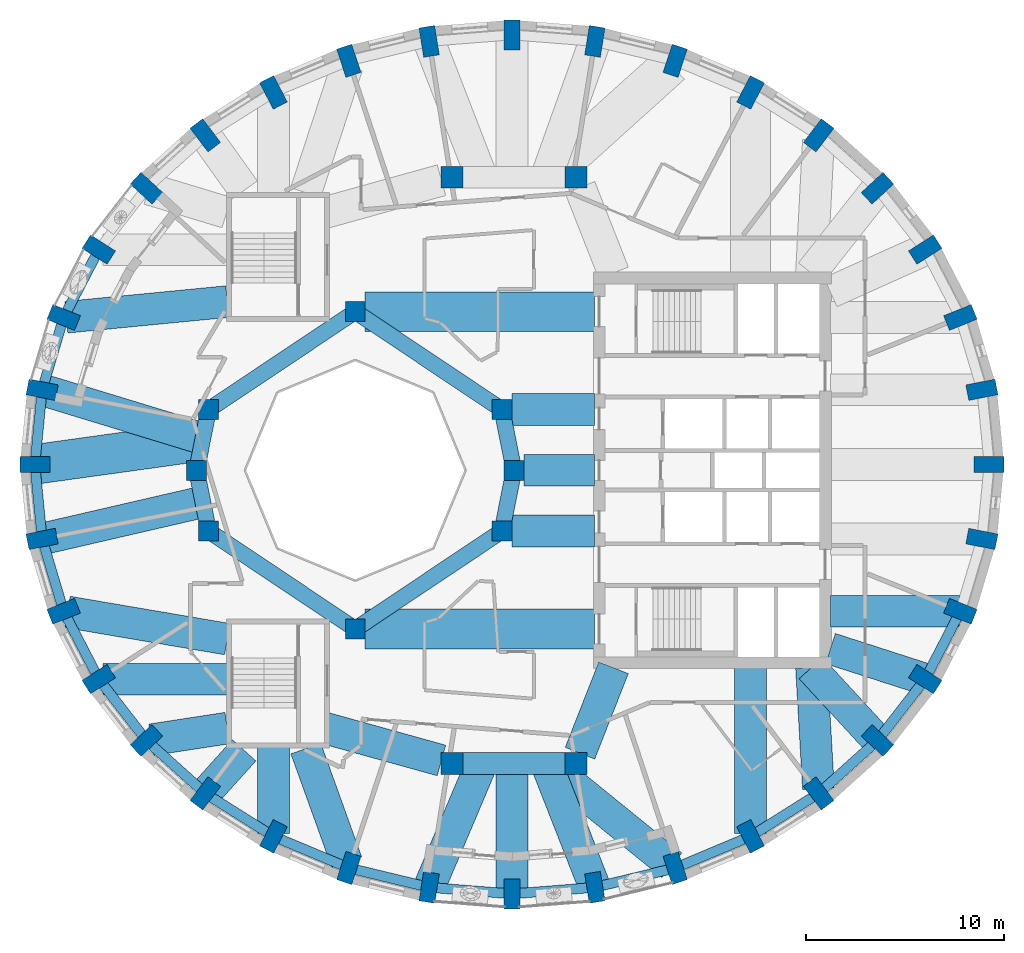
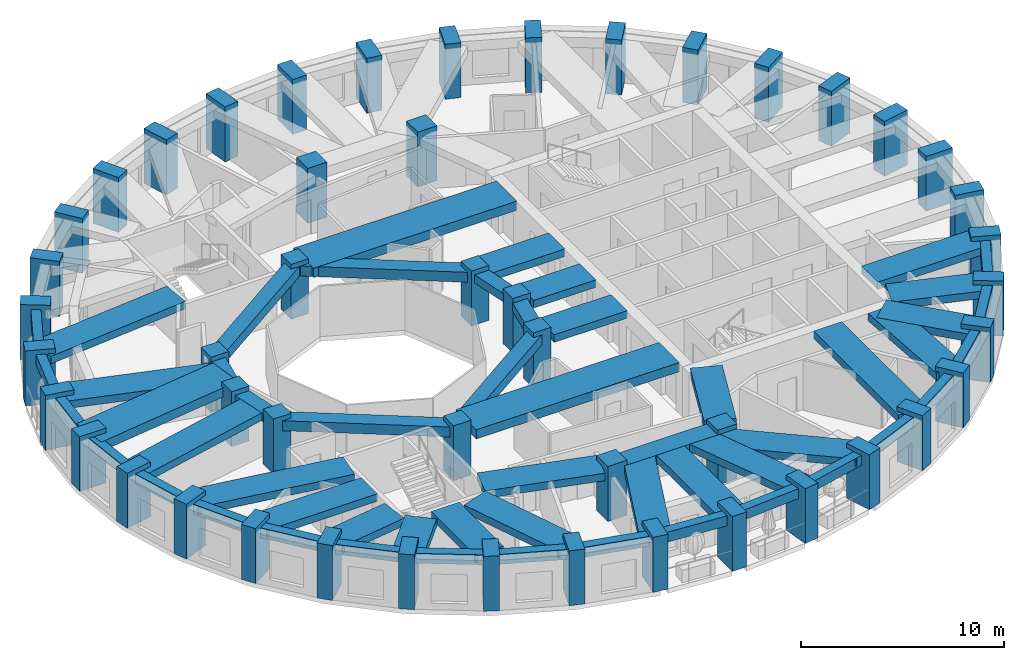
# One storey, part 1 of 12: 54 beams, 48 columns.
"""IFC4 building model written with IfcOpenShell, lengths in metres."""

from ifc_helpers import new_model, si_unit, direction, frame, origin, origin_2d, place, context, subcontext, project, spatial, rectangle, extrude, material, material_profile, profile_set, type_object, element, save


model = new_model("IFC4")

# Units and contexts
model_context = context("Model", 3, precision=1e-05, world=origin(), true_north=direction((0.0, 1.0)))
body_context = subcontext(model_context, "Body", "Model", "MODEL_VIEW")
ifc_project = project(units=[si_unit("LENGTHUNIT", "METRE"), si_unit("AREAUNIT", "SQUARE_METRE"), si_unit("VOLUMEUNIT", "CUBIC_METRE"), si_unit("PLANEANGLEUNIT", "RADIAN"), si_unit("MASSUNIT", "GRAM", prefix="KILO")], contexts=[model_context])

# Site, building, storey
site_placement = place(None, origin())
site = spatial("IfcSite", under=ifc_project, at=site_placement, CompositionType="ELEMENT")
building_placement = place(site_placement, origin())
building = spatial("IfcBuilding", under=site, at=building_placement, Name="Taillehof Tower", CompositionType="ELEMENT")
storey_placement = place(building_placement, frame((0.0, 0.0, 246.5)))
storey = spatial("IfcBuildingStorey", under=building, at=storey_placement, Name="L70", CompositionType="ELEMENT", Elevation=246.5)

# Columns
ifc_material_1 = material(Name="Concrete C50/60", Category="concrete")
ifc_material_profile_1 = material_profile(ifc_material_1, rectangle(XDim=1.0, YDim=1.0, at=origin_2d()), Name="RC 1000x1000")
ifc_profile_set_1 = profile_set([ifc_material_profile_1], Name="Concrete C50/60")
column_type_1 = type_object("IfcColumnType", Name="Atrium ring column C50/60 1000x1000", PredefinedType="COLUMN", material=ifc_profile_set_1)
for number, where, z_axis, x_axis, name in (
    (1, (0.0, 0.0, 0.0), (0.0, 0.0, 1.0), (1.0, 0.0, 0.0), "Column AC01"),
    (2, (-0.60888671875, 3.0615234375, 0.0), (0.0, 0.0, 1.0), (1.0, 0.0, 0.0), "Column AC02"),
    (3, (-8.0, 8.0, 0.0), (0.0, 0.0, 1.0), (1.0, 0.0, 0.0), "Column AC05"),
    (4, (-15.39111328125, 3.0615234375, 0.0), (0.0, 0.0, 1.0), (1.0, 0.0, 0.0), "Column AC08"),
    (5, (-16.0, 0.0, 0.0), (0.0, 0.0, 1.0), (1.0, 0.0, 0.0), "Column AC09"),
    (6, (-15.39111328125, -3.0615234375, 0.0), (0.0, 0.0, 1.0), (1.0, 0.0, 0.0), "Column AC10"),
    (7, (-8.0, -8.0, 0.0), (0.0, 0.0, 1.0), (1.0, 0.0, 0.0), "Column AC13"),
    (8, (-0.60888671875, -3.0615234375, 0.0), (0.0, 0.0, 1.0), (1.0, 0.0, 0.0), "Column AC16"),
):
    element("IfcColumn", number, at=place(storey_placement, frame(where, z_axis=z_axis, x_axis=x_axis)), inside=storey, type_object=column_type_1, Name=name, PredefinedType="COLUMN", context=body_context, shape_type="SweptSolid", body=[
        extrude(rectangle(XDim=1.0, YDim=1.0, at=origin_2d()), origin(), (0.0, 0.0, 1.0), 3.300048828125),
    ])
ifc_material_2 = material(Name="Concrete C50/60", Category="concrete")
ifc_material_profile_2 = material_profile(ifc_material_2, rectangle(XDim=1.10009765625, YDim=1.10009765625, at=origin_2d()), Name="RC 1100x1100")
ifc_profile_set_2 = profile_set([ifc_material_profile_2], Name="Concrete C50/60")
column_type_2 = type_object("IfcColumnType", Name="Mid-ring column C50/60 1100x1100", PredefinedType="COLUMN", material=ifc_profile_set_2)
for number, where, z_axis, x_axis, name in (
    (9, (3.125732421875, 14.772216796875, 0.0), (0.0, 0.0, 1.0), (1.0, 0.0, 0.0), "Column MC05"),
    (10, (-3.125732421875, 14.772216796875, 0.0), (0.0, 0.0, 1.0), (1.0, 0.0, 0.0), "Column MC06"),
    (11, (-3.125732421875, -14.772216796875, 0.0), (0.0, 0.0, 1.0), (1.0, 0.0, 0.0), "Column MC14"),
    (12, (3.125732421875, -14.772216796875, 0.0), (0.0, 0.0, 1.0), (1.0, 0.0, 0.0), "Column MC15"),
):
    element("IfcColumn", number, at=place(storey_placement, frame(where, z_axis=z_axis, x_axis=x_axis)), inside=storey, type_object=column_type_2, Name=name, PredefinedType="COLUMN", context=body_context, shape_type="SweptSolid", body=[
        extrude(rectangle(XDim=1.10009765625, YDim=1.10009765625, at=origin_2d()), origin(), (0.0, 0.0, 1.0), 3.300048828125),
    ])
ifc_material_3 = material(Name="Concrete C50/60", Category="concrete")
ifc_material_profile_3 = material_profile(ifc_material_3, rectangle(XDim=1.5, YDim=0.800048828125, at=origin_2d()), Name="RC 1500x800")
ifc_profile_set_3 = profile_set([ifc_material_profile_3], Name="Concrete C50/60")
column_type_3 = type_object("IfcColumnType", Name="Ring column C50/60 1500x800", PredefinedType="COLUMN", material=ifc_profile_set_3)
for number, where, z_axis, x_axis, name in (
    (13, (23.949951171875, 0.300048828125, 0.0), (0.0, 0.0, 1.0), (1.0, 0.0, 0.0), "Ring column RC01"),
    (14, (23.584716796875, 4.0595703125, 0.0), (0.0, 0.0, 1.0), (0.981472639166, 0.191602344891, 0.0), "Ring column RC02"),
    (15, (22.49951171875, 7.704833984375, 0.0), (0.0, 0.0, 1.0), (0.927524694272, 0.373761878092, 0.0), "Ring column RC03"),
    (16, (20.72802734375, 11.125, 0.0), (0.0, 0.0, 1.0), (0.842573772535, 0.538580948267, 0.0), "Ring column RC04"),
    (17, (18.323486328125, 14.21630859375, 0.0), (0.0, 0.0, 1.0), (0.73263579998, 0.680620881686, 0.0), "Ring column RC05"),
    (18, (15.359130859375, 16.884765625, 0.0), (0.0, 0.0, 1.0), (0.604020073066, 0.796969103123, 0.0), "Ring column RC06"),
    (19, (11.925048828125, 19.049560546875, 0.0), (0.0, 0.0, 1.0), (0.462383690865, 0.886679943622, 0.0), "Ring column RC07"),
    (20, (8.12548828125, 20.644287109375, 0.0), (0.0, 0.0, 1.0), (0.312304079287, 0.949982190391, 0.0), "Ring column RC08"),
    (21, (4.076171875, 21.62109375, 0.0), (0.0, 0.0, 1.0), (0.1572808136, 0.987553920388, 0.0), "Ring column RC09"),
    (22, (-0.10009765625, 21.949951171875, 0.0), (0.0, 0.0, 1.0), (0.0, 1.0, 0.0), "Ring column RC10"),
    (23, (-4.276123046875, 21.62109375, 0.0), (0.0, 0.0, 1.0), (-0.1572808136, 0.987553920388, 0.0), "Ring column RC11"),
    (24, (-8.32568359375, 20.644287109375, 0.0), (0.0, 0.0, 1.0), (-0.312304079287, 0.949982190391, 0.0), "Ring column RC12"),
    (25, (-12.125, 19.049560546875, 0.0), (0.0, 0.0, 1.0), (-0.462383690865, 0.886679943622, 0.0), "Ring column RC13"),
    (26, (-15.55908203125, 16.884765625, 0.0), (0.0, 0.0, 1.0), (-0.604020073066, 0.796969103123, 0.0), "Ring column RC14"),
    (27, (-18.5234375, 14.21630859375, 0.0), (0.0, 0.0, 1.0), (-0.73263579998, 0.680620881686, 0.0), "Ring column RC15"),
    (28, (-20.927978515625, 11.125, 0.0), (0.0, 0.0, 1.0), (-0.842573772535, 0.538580948267, 0.0), "Ring column RC16"),
    (29, (-22.69970703125, 7.704833984375, 0.0), (0.0, 0.0, 1.0), (-0.927524694272, 0.373761878092, 0.0), "Ring column RC17"),
    (30, (-23.78466796875, 4.0595703125, 0.0), (0.0, 0.0, 1.0), (-0.981472639166, 0.191602344891, 0.0), "Ring column RC18"),
    (31, (-24.14990234375, 0.300048828125, 0.0), (0.0, 0.0, 1.0), (-1.0, 0.0, 0.0), "Ring column RC19"),
    (32, (-23.78466796875, -3.45947265625, 0.0), (0.0, 0.0, 1.0), (-0.981472639166, -0.191602344891, 0.0), "Ring column RC20"),
    (33, (-22.69970703125, -7.104736328125, 0.0), (0.0, 0.0, 1.0), (-0.927524694272, -0.373761878092, 0.0), "Ring column RC21"),
    (34, (-20.927978515625, -10.52490234375, 0.0), (0.0, 0.0, 1.0), (-0.842573772535, -0.538580948267, 0.0), "Ring column RC22"),
    (35, (-18.5234375, -13.616455078125, 0.0), (0.0, 0.0, 1.0), (-0.73263579998, -0.680620881686, 0.0), "Ring column RC23"),
    (36, (-15.55908203125, -16.284912109375, 0.0), (0.0, 0.0, 1.0), (-0.604020073066, -0.796969103123, 0.0), "Ring column RC24"),
    (37, (-12.125, -18.449462890625, 0.0), (0.0, 0.0, 1.0), (-0.462383690865, -0.886679943622, 0.0), "Ring column RC25"),
    (38, (-8.32568359375, -20.04443359375, 0.0), (0.0, 0.0, 1.0), (-0.312304079287, -0.949982190391, 0.0), "Ring column RC26"),
    (39, (-4.276123046875, -21.02099609375, 0.0), (0.0, 0.0, 1.0), (-0.1572808136, -0.987553920388, 0.0), "Ring column RC27"),
    (40, (-0.10009765625, -21.35009765625, 0.0), (0.0, 0.0, 1.0), (0.0, -1.0, 0.0), "Ring column RC28"),
    (41, (4.076171875, -21.02099609375, 0.0), (0.0, 0.0, 1.0), (0.1572808136, -0.987553920388, 0.0), "Ring column RC29"),
    (42, (8.12548828125, -20.04443359375, 0.0), (0.0, 0.0, 1.0), (0.312304079287, -0.949982190391, 0.0), "Ring column RC30"),
    (43, (11.925048828125, -18.449462890625, 0.0), (0.0, 0.0, 1.0), (0.462383690865, -0.886679943622, 0.0), "Ring column RC31"),
    (44, (15.359130859375, -16.284912109375, 0.0), (0.0, 0.0, 1.0), (0.604020073066, -0.796969103123, 0.0), "Ring column RC32"),
    (45, (18.323486328125, -13.616455078125, 0.0), (0.0, 0.0, 1.0), (0.73263579998, -0.680620881686, 0.0), "Ring column RC33"),
    (46, (20.72802734375, -10.52490234375, 0.0), (0.0, 0.0, 1.0), (0.842573772535, -0.538580948267, 0.0), "Ring column RC34"),
    (47, (22.49951171875, -7.104736328125, 0.0), (0.0, 0.0, 1.0), (0.927524694272, -0.373761878092, 0.0), "Ring column RC35"),
    (48, (23.584716796875, -3.45947265625, 0.0), (0.0, 0.0, 1.0), (0.981472639166, -0.191602344891, 0.0), "Ring column RC36"),
):
    element("IfcColumn", number, at=place(storey_placement, frame(where, z_axis=z_axis, x_axis=x_axis)), inside=storey, type_object=column_type_3, Name=name, PredefinedType="COLUMN", context=body_context, shape_type="SweptSolid", body=[
        extrude(rectangle(XDim=1.5, YDim=0.800048828125, at=origin_2d()), origin(), (0.0, 0.0, 1.0), 3.300048828125),
    ])

# Beams
ifc_material_4 = material(Name="Concrete C50/60", Category="concrete")
ifc_material_profile_4 = material_profile(ifc_material_4, rectangle(XDim=0.800048828125, YDim=0.5, at=origin_2d()), Name="RC 800x500")
ifc_profile_set_4 = profile_set([ifc_material_profile_4], Name="Concrete C50/60")
beam_type_1 = type_object("IfcBeamType", Name="Atrium ring beam C50/60 800x500", PredefinedType="BEAM", material=ifc_profile_set_4)
for number, where, z_axis, x_axis, name in (
    (49, (0.0, 0.0, 2.77001953125), (-0.195063155143, 0.980790683839, 0.0), (-0.980790683839, -0.195063155143, 0.0), "Atrium ring beam AB01"),
    (50, (-15.39111328125, 3.0615234375, 2.77001953125), (-0.195063155143, -0.980790683839, 0.0), (0.980790683839, -0.195063155143, 0.0), "Atrium ring beam AB04"),
    (51, (-16.0, 0.0, 2.77001953125), (0.195063155143, -0.980790683839, 0.0), (0.980790683839, 0.195063155143, 0.0), "Atrium ring beam AB05"),
    (52, (-0.60888671875, -3.0615234375, 2.77001953125), (0.195063155143, 0.980790683839, 0.0), (-0.980790683839, 0.195063155143, 0.0), "Atrium ring beam AB08"),
):
    element("IfcBeam", number, at=place(storey_placement, frame(where, z_axis=z_axis, x_axis=x_axis)), inside=storey, type_object=beam_type_1, Name=name, PredefinedType="BEAM", context=body_context, shape_type="SweptSolid", body=[
        extrude(rectangle(XDim=0.800048828125, YDim=0.5, at=origin_2d()), origin(), (0.0, 0.0, 1.0), 3.12158203125),
    ])
ifc_material_5 = material(Name="Concrete C50/60", Category="concrete")
ifc_material_profile_5 = material_profile(ifc_material_5, rectangle(XDim=0.800048828125, YDim=0.60009765625, at=origin_2d()), Name="RC 800x600")
ifc_profile_set_5 = profile_set([ifc_material_profile_5], Name="Concrete C50/60")
beam_type_2 = type_object("IfcBeamType", Name="Atrium ring beam C50/60 800x600", PredefinedType="BEAM", material=ifc_profile_set_5)
for number, where, z_axis, x_axis, name in (
    (53, (-0.60888671875, 3.0615234375, 2.719970703125), (-0.831475195687, 0.555561876804, 0.0), (-0.555561876804, -0.831475195687, 0.0), "Atrium ring beam AB02"),
    (54, (-8.0, 8.0, 2.719970703125), (-0.831475195687, -0.555561876804, 0.0), (0.555561876804, -0.831475195687, 0.0), "Atrium ring beam AB03"),
    (55, (-15.39111328125, -3.0615234375, 2.719970703125), (0.831475195687, -0.555561876804, 0.0), (0.555561876804, 0.831475195687, 0.0), "Atrium ring beam AB06"),
    (56, (-8.0, -8.0, 2.719970703125), (0.831475195687, 0.555561876804, 0.0), (-0.555561876804, 0.831475195687, 0.0), "Atrium ring beam AB07"),
):
    element("IfcBeam", number, at=place(storey_placement, frame(where, z_axis=z_axis, x_axis=x_axis)), inside=storey, type_object=beam_type_2, Name=name, PredefinedType="BEAM", context=body_context, shape_type="SweptSolid", body=[
        extrude(rectangle(XDim=0.800048828125, YDim=0.60009765625, at=origin_2d()), origin(), (0.0, 0.0, 1.0), 8.88916015625),
    ])
ifc_material_6 = material(Name="Concrete C50/60", Category="concrete")
ifc_material_profile_6 = material_profile(ifc_material_6, rectangle(XDim=1.10009765625, YDim=0.60009765625, at=origin_2d()), Name="RC 1100x600")
ifc_profile_set_6 = profile_set([ifc_material_profile_6], Name="Concrete C50/60")
beam_type_3 = type_object("IfcBeamType", Name="Mid-ring beam C50/60 1100x600", PredefinedType="BEAM", material=ifc_profile_set_6)
beam_1_placement = place(storey_placement, frame((-3.125732421875, -14.772216796875, 2.719970703125), z_axis=(1.0, 0.0, 0.0), x_axis=(0.0, 1.0, 0.0)))
element("IfcBeam", 57, at=beam_1_placement, inside=storey, type_object=beam_type_3, Name="Mid-ring beam MB02", PredefinedType="BEAM", context=body_context, shape_type="SweptSolid", body=[
    extrude(rectangle(XDim=1.10009765625, YDim=0.60009765625, at=origin_2d()), origin(), (0.0, 0.0, 1.0), 6.25146484375),
])
ifc_material_7 = material(Name="Concrete C50/60", Category="concrete")
ifc_material_profile_7 = material_profile(ifc_material_7, rectangle(XDim=1.60009765625, YDim=0.449951171875, at=origin_2d()), Name="RC 1600x450")
ifc_profile_set_7 = profile_set([ifc_material_profile_7], Name="Concrete C50/60")
beam_type_4 = type_object("IfcBeamType", Name="Radial band beam C50/60 1600x450", PredefinedType="BEAM", material=ifc_profile_set_7)
beam_2_placement = place(storey_placement, frame((-22.564697265625, 7.7177734375, 2.794921875), z_axis=(0.995328408647, 0.096547185049, 0.0), x_axis=(-0.096547185049, 0.995328408647, 0.0)))
element("IfcBeam", 58, at=beam_2_placement, inside=storey, type_object=beam_type_4, Name="Radial band beam RB17", PredefinedType="BEAM", context=body_context, shape_type="SweptSolid", body=[
    extrude(rectangle(XDim=1.60009765625, YDim=0.449951171875, at=origin_2d()), origin(), (0.0, 0.0, 1.0), 8.152587890625),
])
beam_3_placement = place(storey_placement, frame((-23.78466796875, 4.0595703125, 2.794921875), z_axis=(0.956552302924, -0.291560785721, 0.0), x_axis=(0.291560785721, 0.956552302924, 0.0)))
element("IfcBeam", 59, at=beam_3_placement, inside=storey, type_object=beam_type_4, Name="Radial band beam RB18", PredefinedType="BEAM", context=body_context, shape_type="SweptSolid", body=[
    extrude(rectangle(XDim=1.60009765625, YDim=0.449951171875, at=origin_2d()), origin(), (0.0, 0.0, 1.0), 8.468994140625),
])
beam_4_placement = place(storey_placement, frame((-23.78466796875, -3.45947265625, 2.794921875), z_axis=(0.974400103511, 0.224820902672, 0.0), x_axis=(-0.224820902672, 0.974400103511, 0.0)))
element("IfcBeam", 60, at=beam_4_placement, inside=storey, type_object=beam_type_4, Name="Radial band beam RB20", PredefinedType="BEAM", context=body_context, shape_type="SweptSolid", body=[
    extrude(rectangle(XDim=1.60009765625, YDim=0.449951171875, at=origin_2d()), origin(), (0.0, 0.0, 1.0), 8.31396484375),
])
beam_5_placement = place(storey_placement, frame((-22.502685546875, -7.13818359375, 2.794921875), z_axis=(0.985830005482, -0.167747430059, 0.0), x_axis=(0.167747430059, 0.985830005482, 0.0)))
element("IfcBeam", 61, at=beam_5_placement, inside=storey, type_object=beam_type_4, Name="Radial band beam RB21", PredefinedType="BEAM", context=body_context, shape_type="SweptSolid", body=[
    extrude(rectangle(XDim=1.60009765625, YDim=0.449951171875, at=origin_2d()), origin(), (0.0, 0.0, 1.0), 8.167724609375),
])
beam_6_placement = place(storey_placement, frame((-20.7119140625, -10.52490234375, 2.794921875), z_axis=(1.0, 0.0, 0.0), x_axis=(0.0, 1.0, 0.0)))
element("IfcBeam", 62, at=beam_6_placement, inside=storey, type_object=beam_type_4, Name="Radial band beam RB22", PredefinedType="BEAM", context=body_context, shape_type="SweptSolid", body=[
    extrude(rectangle(XDim=1.60009765625, YDim=0.449951171875, at=origin_2d()), origin(), (0.0, 0.0, 1.0), 6.261962890625),
])
beam_7_placement = place(storey_placement, frame((-18.283447265625, -13.57958984375, 2.794921875), z_axis=(0.988468308682, 0.151427879634, 0.0), x_axis=(-0.151427879634, 0.988468308682, 0.0)))
element("IfcBeam", 63, at=beam_7_placement, inside=storey, type_object=beam_type_4, Name="Radial band beam RB23", PredefinedType="BEAM", context=body_context, shape_type="SweptSolid", body=[
    extrude(rectangle(XDim=1.60009765625, YDim=0.449951171875, at=origin_2d()), origin(), (0.0, 0.0, 1.0), 3.87744140625),
])
beam_8_placement = place(storey_placement, frame((-15.55908203125, -16.284912109375, 2.794921875), z_axis=(0.669439419649, 0.742866652516, 0.0), x_axis=(-0.742866652516, 0.669439419649, 0.0)))
element("IfcBeam", 64, at=beam_8_placement, inside=storey, type_object=beam_type_4, Name="Radial band beam RB24", PredefinedType="BEAM", context=body_context, shape_type="SweptSolid", body=[
    extrude(rectangle(XDim=1.60009765625, YDim=0.449951171875, at=origin_2d()), origin(), (0.0, 0.0, 1.0), 2.926025390625),
])
beam_9_placement = place(storey_placement, frame((-12.125, -18.3154296875, 2.794921875), z_axis=(0.0, 1.0, 0.0), x_axis=(-1.0, 0.0, 0.0)))
element("IfcBeam", 65, at=beam_9_placement, inside=storey, type_object=beam_type_4, Name="Radial band beam RB25", PredefinedType="BEAM", context=body_context, shape_type="SweptSolid", body=[
    extrude(rectangle(XDim=1.60009765625, YDim=0.449951171875, at=origin_2d()), origin(), (0.0, 0.0, 1.0), 4.365478515625),
])
beam_10_placement = place(storey_placement, frame((-8.42919921875, -19.755859375, 2.794921875), z_axis=(-0.338515207556, 0.940960920683, 0.0), x_axis=(-0.940960920683, -0.338515207556, 0.0)))
element("IfcBeam", 66, at=beam_10_placement, inside=storey, type_object=beam_type_4, Name="Radial band beam RB26", PredefinedType="BEAM", context=body_context, shape_type="SweptSolid", body=[
    extrude(rectangle(XDim=1.60009765625, YDim=0.449951171875, at=origin_2d()), origin(), (0.0, 0.0, 1.0), 6.094970703125),
])
beam_11_placement = place(storey_placement, frame((-4.276123046875, -21.02099609375, 2.794921875), z_axis=(0.390474101739, 0.920613912491, 0.0), x_axis=(-0.920613912491, 0.390474101739, 0.0)))
element("IfcBeam", 67, at=beam_11_placement, inside=storey, type_object=beam_type_4, Name="Radial band beam RB27", PredefinedType="BEAM", context=body_context, shape_type="SweptSolid", body=[
    extrude(rectangle(XDim=1.60009765625, YDim=0.449951171875, at=origin_2d()), origin(), (0.0, 0.0, 1.0), 6.78759765625),
])
beam_12_placement = place(storey_placement, frame((-0.10009765625, -21.35009765625, 2.794921875), z_axis=(0.0, 1.0, 0.0), x_axis=(-1.0, 0.0, 0.0)))
element("IfcBeam", 68, at=beam_12_placement, inside=storey, type_object=beam_type_4, Name="Radial band beam RB28", PredefinedType="BEAM", context=body_context, shape_type="SweptSolid", body=[
    extrude(rectangle(XDim=1.60009765625, YDim=0.449951171875, at=origin_2d()), origin(), (0.0, 0.0, 1.0), 6.577880859375),
])
beam_13_placement = place(storey_placement, frame((4.076171875, -21.02099609375, 2.794921875), z_axis=(-0.365079492969, 0.93097634976, 0.0), x_axis=(-0.93097634976, -0.365079492969, 0.0)))
element("IfcBeam", 69, at=beam_13_placement, inside=storey, type_object=beam_type_4, Name="Radial band beam RB29", PredefinedType="BEAM", context=body_context, shape_type="SweptSolid", body=[
    extrude(rectangle(XDim=1.60009765625, YDim=0.449951171875, at=origin_2d()), origin(), (0.0, 0.0, 1.0), 6.712158203125),
])
beam_14_placement = place(storey_placement, frame((7.9560546875, -19.90673828125, 2.794921875), z_axis=(-0.776646099525, 0.629937168369, 0.0), x_axis=(-0.629937168369, -0.776646099525, 0.0)))
element("IfcBeam", 70, at=beam_14_placement, inside=storey, type_object=beam_type_4, Name="Radial band beam RB30", PredefinedType="BEAM", context=body_context, shape_type="SweptSolid", body=[
    extrude(rectangle(XDim=1.60009765625, YDim=0.449951171875, at=origin_2d()), origin(), (0.0, 0.0, 1.0), 8.03759765625),
])
beam_15_placement = place(storey_placement, frame((11.925048828125, -18.3154296875, 2.794921875), z_axis=(0.0, 1.0, 0.0), x_axis=(-1.0, 0.0, 0.0)))
element("IfcBeam", 71, at=beam_15_placement, inside=storey, type_object=beam_type_4, Name="Radial band beam RB31", PredefinedType="BEAM", context=body_context, shape_type="SweptSolid", body=[
    extrude(rectangle(XDim=1.60009765625, YDim=0.449951171875, at=origin_2d()), origin(), (0.0, 0.0, 1.0), 8.365478515625),
])
beam_16_placement = place(storey_placement, frame((15.345703125, -16.050537109375, 2.794921875), z_axis=(-0.057056617778, 0.998370944273, 0.0), x_axis=(-0.998370944273, -0.057056617778, 0.0)))
element("IfcBeam", 72, at=beam_16_placement, inside=storey, type_object=beam_type_4, Name="Radial band beam RB32", PredefinedType="BEAM", context=body_context, shape_type="SweptSolid", body=[
    extrude(rectangle(XDim=1.60009765625, YDim=0.449951171875, at=origin_2d()), origin(), (0.0, 0.0, 1.0), 6.1103515625),
])
beam_17_placement = place(storey_placement, frame((18.323486328125, -13.616455078125, 2.794921875), z_axis=(-0.676659897365, 0.736295717289, 0.0), x_axis=(-0.736295717289, -0.676659897365, 0.0)))
element("IfcBeam", 73, at=beam_17_placement, inside=storey, type_object=beam_type_4, Name="Radial band beam RB33", PredefinedType="BEAM", context=body_context, shape_type="SweptSolid", body=[
    extrude(rectangle(XDim=1.60009765625, YDim=0.449951171875, at=origin_2d()), origin(), (0.0, 0.0, 1.0), 4.961669921875),
])
beam_18_placement = place(storey_placement, frame((20.72802734375, -10.52490234375, 2.794921875), z_axis=(-0.951722832358, 0.306958711178, 0.0), x_axis=(-0.306958711178, -0.951722832358, 0.0)))
element("IfcBeam", 74, at=beam_18_placement, inside=storey, type_object=beam_type_4, Name="Radial band beam RB34", PredefinedType="BEAM", context=body_context, shape_type="SweptSolid", body=[
    extrude(rectangle(XDim=1.60009765625, YDim=0.449951171875, at=origin_2d()), origin(), (0.0, 0.0, 1.0), 5.017822265625),
])
beam_19_placement = place(storey_placement, frame((22.44580078125, -7.104736328125, 2.794921875), z_axis=(-1.0, 0.0, 0.0), x_axis=(0.0, -1.0, 0.0)))
element("IfcBeam", 75, at=beam_19_placement, inside=storey, type_object=beam_type_4, Name="Radial band beam RB35", PredefinedType="BEAM", context=body_context, shape_type="SweptSolid", body=[
    extrude(rectangle(XDim=1.60009765625, YDim=0.449951171875, at=origin_2d()), origin(), (0.0, 0.0, 1.0), 6.495849609375),
])
beam_20_placement = place(storey_placement, frame((0.5, 0.0, 2.794921875), z_axis=(1.0, 0.0, 0.0), x_axis=(0.0, 1.0, 0.0)))
element("IfcBeam", 76, at=beam_20_placement, inside=storey, type_object=beam_type_4, Name="Inner band beam IB101", PredefinedType="BEAM", context=body_context, shape_type="SweptSolid", body=[
    extrude(rectangle(XDim=1.60009765625, YDim=0.449951171875, at=origin_2d()), origin(), (0.0, 0.0, 1.0), 3.550048828125),
])
for number, where, z_axis, x_axis, name in (
    (77, (-0.10888671875, 3.0615234375, 2.794921875), (1.0, 0.0, 0.0), (0.0, 1.0, 0.0), "Inner band beam IB102"),
    (78, (-0.10888671875, -3.0615234375, 2.794921875), (1.0, 0.0, 0.0), (0.0, 1.0, 0.0), "Inner band beam IB116"),
):
    element("IfcBeam", number, at=place(storey_placement, frame(where, z_axis=z_axis, x_axis=x_axis)), inside=storey, type_object=beam_type_4, Name=name, PredefinedType="BEAM", context=body_context, shape_type="SweptSolid", body=[
        extrude(rectangle(XDim=1.60009765625, YDim=0.449951171875, at=origin_2d()), origin(), (0.0, 0.0, 1.0), 4.158935546875),
    ])
beam_21_placement = place(storey_placement, frame((-3.655517578125, -14.624755859375, 2.794921875), z_axis=(-0.963459369536, 0.267854518821, 0.0), x_axis=(-0.267854518821, -0.963459369536, 0.0)))
element("IfcBeam", 79, at=beam_21_placement, inside=storey, type_object=beam_type_4, Name="Inner band beam IB214", PredefinedType="BEAM", context=body_context, shape_type="SweptSolid", body=[
    extrude(rectangle(XDim=1.60009765625, YDim=0.449951171875, at=origin_2d()), origin(), (0.0, 0.0, 1.0), 6.096923828125),
])
beam_22_placement = place(storey_placement, frame((3.32666015625, -14.26025390625, 2.794921875), z_axis=(0.365588707223, 0.930776502255, 0.0), x_axis=(-0.930776502255, 0.365588707223, 0.0)))
element("IfcBeam", 80, at=beam_22_placement, inside=storey, type_object=beam_type_4, Name="Inner band beam IB215", PredefinedType="BEAM", context=body_context, shape_type="SweptSolid", body=[
    extrude(rectangle(XDim=1.60009765625, YDim=0.449951171875, at=origin_2d()), origin(), (0.0, 0.0, 1.0), 4.627197265625),
])
ifc_material_8 = material(Name="Concrete C50/60", Category="concrete")
ifc_material_profile_8 = material_profile(ifc_material_8, rectangle(XDim=2.0, YDim=0.550048828125, at=origin_2d()), Name="RC 2000x550")
ifc_profile_set_8 = profile_set([ifc_material_profile_8], Name="Concrete C50/60")
beam_type_5 = type_object("IfcBeamType", Name="Radial band beam C50/60 2000x550", PredefinedType="BEAM", material=ifc_profile_set_8)
beam_23_placement = place(storey_placement, frame((-24.14990234375, 0.300048828125, 2.7451171875), z_axis=(0.990515351696, 0.137402103528, 0.0), x_axis=(-0.137402103528, 0.990515351696, 0.0)))
element("IfcBeam", 81, at=beam_23_placement, inside=storey, type_object=beam_type_5, Name="Radial band beam RB19", PredefinedType="BEAM", context=body_context, shape_type="SweptSolid", body=[
    extrude(rectangle(XDim=2.0, YDim=0.550048828125, at=origin_2d()), origin(), (0.0, 0.0, 1.0), 8.5234375),
])
for number, where, z_axis, x_axis, name in (
    (82, (-7.5, 8.0, 2.7451171875), (1.0, 0.0, 0.0), (0.0, 1.0, 0.0), "Inner band beam IB105"),
    (83, (-7.5, -8.0, 2.7451171875), (1.0, 0.0, 0.0), (0.0, 1.0, 0.0), "Inner band beam IB113"),
):
    element("IfcBeam", number, at=place(storey_placement, frame(where, z_axis=z_axis, x_axis=x_axis)), inside=storey, type_object=beam_type_5, Name=name, PredefinedType="BEAM", context=body_context, shape_type="SweptSolid", body=[
        extrude(rectangle(XDim=2.0, YDim=0.550048828125, at=origin_2d()), origin(), (0.0, 0.0, 1.0), 11.550048828125),
    ])
ifc_material_9 = material(Name="Concrete C50/60", Category="concrete")
ifc_material_profile_9 = material_profile(ifc_material_9, rectangle(XDim=0.5, YDim=0.60009765625, at=origin_2d()), Name="RC 500x600")
ifc_profile_set_9 = profile_set([ifc_material_profile_9], Name="Concrete C50/60")
beam_type_6 = type_object("IfcBeamType", Name="Spandrel beam C50/60 500x600", PredefinedType="SPANDREL", material=ifc_profile_set_9)
beam_24_placement = place(storey_placement, frame((-20.927978515625, 11.125, 2.719970703125), z_axis=(-0.459971160554, -0.88793385534, 0.0), x_axis=(0.88793385534, -0.459971160554, 0.0)))
element("IfcBeam", 84, at=beam_24_placement, inside=storey, type_object=beam_type_6, Name="Spandrel beam SB16", PredefinedType="SPANDREL", context=body_context, shape_type="SweptSolid", body=[
    extrude(rectangle(XDim=0.5, YDim=0.60009765625, at=origin_2d()), origin(), (0.0, 0.0, 1.0), 3.851806640625),
])
beam_25_placement = place(storey_placement, frame((-22.69970703125, 7.704833984375, 2.719970703125), z_axis=(-0.285268336874, -0.958447690788, 0.0), x_axis=(0.958447690788, -0.285268336874, 0.0)))
element("IfcBeam", 85, at=beam_25_placement, inside=storey, type_object=beam_type_6, Name="Spandrel beam SB17", PredefinedType="SPANDREL", context=body_context, shape_type="SweptSolid", body=[
    extrude(rectangle(XDim=0.5, YDim=0.60009765625, at=origin_2d()), origin(), (0.0, 0.0, 1.0), 3.80322265625),
])
for number, where, z_axis, x_axis, name in (
    (86, (-23.78466796875, 4.0595703125, 2.719970703125), (-0.096693940319, -0.995314162416, 0.0), (0.995314162416, -0.096693940319, 0.0), "Spandrel beam SB18"),
    (87, (-24.14990234375, 0.300048828125, 2.719970703125), (0.096693940319, -0.995314162416, 0.0), (0.995314162416, 0.096693940319, 0.0), "Spandrel beam SB19"),
):
    element("IfcBeam", number, at=place(storey_placement, frame(where, z_axis=z_axis, x_axis=x_axis)), inside=storey, type_object=beam_type_6, Name=name, PredefinedType="SPANDREL", context=body_context, shape_type="SweptSolid", body=[
        extrude(rectangle(XDim=0.5, YDim=0.60009765625, at=origin_2d()), origin(), (0.0, 0.0, 1.0), 3.777099609375),
    ])
beam_26_placement = place(storey_placement, frame((-23.78466796875, -3.45947265625, 2.719970703125), z_axis=(0.285268336874, -0.958447690788, 0.0), x_axis=(0.958447690788, 0.285268336874, 0.0)))
element("IfcBeam", 88, at=beam_26_placement, inside=storey, type_object=beam_type_6, Name="Spandrel beam SB20", PredefinedType="SPANDREL", context=body_context, shape_type="SweptSolid", body=[
    extrude(rectangle(XDim=0.5, YDim=0.60009765625, at=origin_2d()), origin(), (0.0, 0.0, 1.0), 3.80322265625),
])
beam_27_placement = place(storey_placement, frame((-22.69970703125, -7.104736328125, 2.719970703125), z_axis=(0.459971160554, -0.88793385534, 0.0), x_axis=(0.88793385534, 0.459971160554, 0.0)))
element("IfcBeam", 89, at=beam_27_placement, inside=storey, type_object=beam_type_6, Name="Spandrel beam SB21", PredefinedType="SPANDREL", context=body_context, shape_type="SweptSolid", body=[
    extrude(rectangle(XDim=0.5, YDim=0.60009765625, at=origin_2d()), origin(), (0.0, 0.0, 1.0), 3.851806640625),
])
beam_28_placement = place(storey_placement, frame((-20.927978515625, -10.52490234375, 2.719970703125), z_axis=(0.613940613515, -0.789352217376, 0.0), x_axis=(0.789352217376, 0.613940613515, 0.0)))
element("IfcBeam", 90, at=beam_28_placement, inside=storey, type_object=beam_type_6, Name="Spandrel beam SB22", PredefinedType="SPANDREL", context=body_context, shape_type="SweptSolid", body=[
    extrude(rectangle(XDim=0.5, YDim=0.60009765625, at=origin_2d()), origin(), (0.0, 0.0, 1.0), 3.91650390625),
])
beam_29_placement = place(storey_placement, frame((-18.5234375, -13.616455078125, 2.719970703125), z_axis=(0.743227182134, -0.669039128704, 0.0), x_axis=(0.669039128704, 0.743227182134, 0.0)))
element("IfcBeam", 91, at=beam_29_placement, inside=storey, type_object=beam_type_6, Name="Spandrel beam SB23", PredefinedType="SPANDREL", context=body_context, shape_type="SweptSolid", body=[
    extrude(rectangle(XDim=0.5, YDim=0.60009765625, at=origin_2d()), origin(), (0.0, 0.0, 1.0), 3.988525390625),
])
beam_30_placement = place(storey_placement, frame((-15.55908203125, -16.284912109375, 2.719970703125), z_axis=(0.845971606716, -0.533227944344, 0.0), x_axis=(0.533227944344, 0.845971606716, 0.0)))
element("IfcBeam", 92, at=beam_30_placement, inside=storey, type_object=beam_type_6, Name="Spandrel beam SB24", PredefinedType="SPANDREL", context=body_context, shape_type="SweptSolid", body=[
    extrude(rectangle(XDim=0.5, YDim=0.60009765625, at=origin_2d()), origin(), (0.0, 0.0, 1.0), 4.059326171875),
])
beam_31_placement = place(storey_placement, frame((-12.125, -18.449462890625, 2.719970703125), z_axis=(0.922046399446, -0.387079368178, 0.0), x_axis=(0.387079368178, 0.922046399446, 0.0)))
element("IfcBeam", 93, at=beam_31_placement, inside=storey, type_object=beam_type_6, Name="Spandrel beam SB25", PredefinedType="SPANDREL", context=body_context, shape_type="SweptSolid", body=[
    extrude(rectangle(XDim=0.5, YDim=0.60009765625, at=origin_2d()), origin(), (0.0, 0.0, 1.0), 4.12060546875),
])
beam_32_placement = place(storey_placement, frame((-8.32568359375, -20.04443359375, 2.719970703125), z_axis=(0.972132431202, -0.234432370218, 0.0), x_axis=(0.234432370218, 0.972132431202, 0.0)))
element("IfcBeam", 94, at=beam_32_placement, inside=storey, type_object=beam_type_6, Name="Spandrel beam SB26", PredefinedType="SPANDREL", context=body_context, shape_type="SweptSolid", body=[
    extrude(rectangle(XDim=0.5, YDim=0.60009765625, at=origin_2d()), origin(), (0.0, 0.0, 1.0), 4.16552734375),
])
beam_33_placement = place(storey_placement, frame((-4.276123046875, -21.02099609375, 2.719970703125), z_axis=(0.996909089392, -0.078563779743, 0.0), x_axis=(0.078563779743, 0.996909089392, 0.0)))
element("IfcBeam", 95, at=beam_33_placement, inside=storey, type_object=beam_type_6, Name="Spandrel beam SB27", PredefinedType="SPANDREL", context=body_context, shape_type="SweptSolid", body=[
    extrude(rectangle(XDim=0.5, YDim=0.60009765625, at=origin_2d()), origin(), (0.0, 0.0, 1.0), 4.18896484375),
])
beam_34_placement = place(storey_placement, frame((-0.10009765625, -21.35009765625, 2.719970703125), z_axis=(0.996909449091, 0.078559215326, 0.0), x_axis=(-0.078559215326, 0.996909449091, 0.0)))
element("IfcBeam", 96, at=beam_34_placement, inside=storey, type_object=beam_type_6, Name="Spandrel beam SB28", PredefinedType="SPANDREL", context=body_context, shape_type="SweptSolid", body=[
    extrude(rectangle(XDim=0.5, YDim=0.60009765625, at=origin_2d()), origin(), (0.0, 0.0, 1.0), 4.189208984375),
])
beam_35_placement = place(storey_placement, frame((4.076171875, -21.02099609375, 2.719970703125), z_axis=(0.972129209911, 0.234445727701, 0.0), x_axis=(-0.234445727701, 0.972129209911, 0.0)))
element("IfcBeam", 97, at=beam_35_placement, inside=storey, type_object=beam_type_6, Name="Spandrel beam SB29", PredefinedType="SPANDREL", context=body_context, shape_type="SweptSolid", body=[
    extrude(rectangle(XDim=0.5, YDim=0.60009765625, at=origin_2d()), origin(), (0.0, 0.0, 1.0), 4.16552734375),
])
beam_36_placement = place(storey_placement, frame((8.12548828125, -20.04443359375, 2.719970703125), z_axis=(0.922055276152, 0.38705822265, 0.0), x_axis=(-0.38705822265, 0.922055276152, 0.0)))
element("IfcBeam", 98, at=beam_36_placement, inside=storey, type_object=beam_type_6, Name="Spandrel beam SB30", PredefinedType="SPANDREL", context=body_context, shape_type="SweptSolid", body=[
    extrude(rectangle(XDim=0.5, YDim=0.60009765625, at=origin_2d()), origin(), (0.0, 0.0, 1.0), 4.120849609375),
])
beam_37_placement = place(storey_placement, frame((11.925048828125, -18.449462890625, 2.719970703125), z_axis=(0.845971606716, 0.533227944344, 0.0), x_axis=(-0.533227944344, 0.845971606716, 0.0)))
element("IfcBeam", 99, at=beam_37_placement, inside=storey, type_object=beam_type_6, Name="Spandrel beam SB31", PredefinedType="SPANDREL", context=body_context, shape_type="SweptSolid", body=[
    extrude(rectangle(XDim=0.5, YDim=0.60009765625, at=origin_2d()), origin(), (0.0, 0.0, 1.0), 4.059326171875),
])
beam_38_placement = place(storey_placement, frame((15.359130859375, -16.284912109375, 2.719970703125), z_axis=(0.743227182134, 0.669039128704, 0.0), x_axis=(-0.669039128704, 0.743227182134, 0.0)))
element("IfcBeam", 100, at=beam_38_placement, inside=storey, type_object=beam_type_6, Name="Spandrel beam SB32", PredefinedType="SPANDREL", context=body_context, shape_type="SweptSolid", body=[
    extrude(rectangle(XDim=0.5, YDim=0.60009765625, at=origin_2d()), origin(), (0.0, 0.0, 1.0), 3.988525390625),
])
beam_39_placement = place(storey_placement, frame((18.323486328125, -13.616455078125, 2.719970703125), z_axis=(0.613940613515, 0.789352217376, 0.0), x_axis=(-0.789352217376, 0.613940613515, 0.0)))
element("IfcBeam", 101, at=beam_39_placement, inside=storey, type_object=beam_type_6, Name="Spandrel beam SB33", PredefinedType="SPANDREL", context=body_context, shape_type="SweptSolid", body=[
    extrude(rectangle(XDim=0.5, YDim=0.60009765625, at=origin_2d()), origin(), (0.0, 0.0, 1.0), 3.91650390625),
])
beam_40_placement = place(storey_placement, frame((20.72802734375, -10.52490234375, 2.719970703125), z_axis=(0.45992118545, 0.887959741865, 0.0), x_axis=(-0.887959741865, 0.45992118545, 0.0)))
element("IfcBeam", 102, at=beam_40_placement, inside=storey, type_object=beam_type_6, Name="Spandrel beam SB34", PredefinedType="SPANDREL", context=body_context, shape_type="SweptSolid", body=[
    extrude(rectangle(XDim=0.5, YDim=0.60009765625, at=origin_2d()), origin(), (0.0, 0.0, 1.0), 3.851806640625),
])

save(model, "model.ifc")
